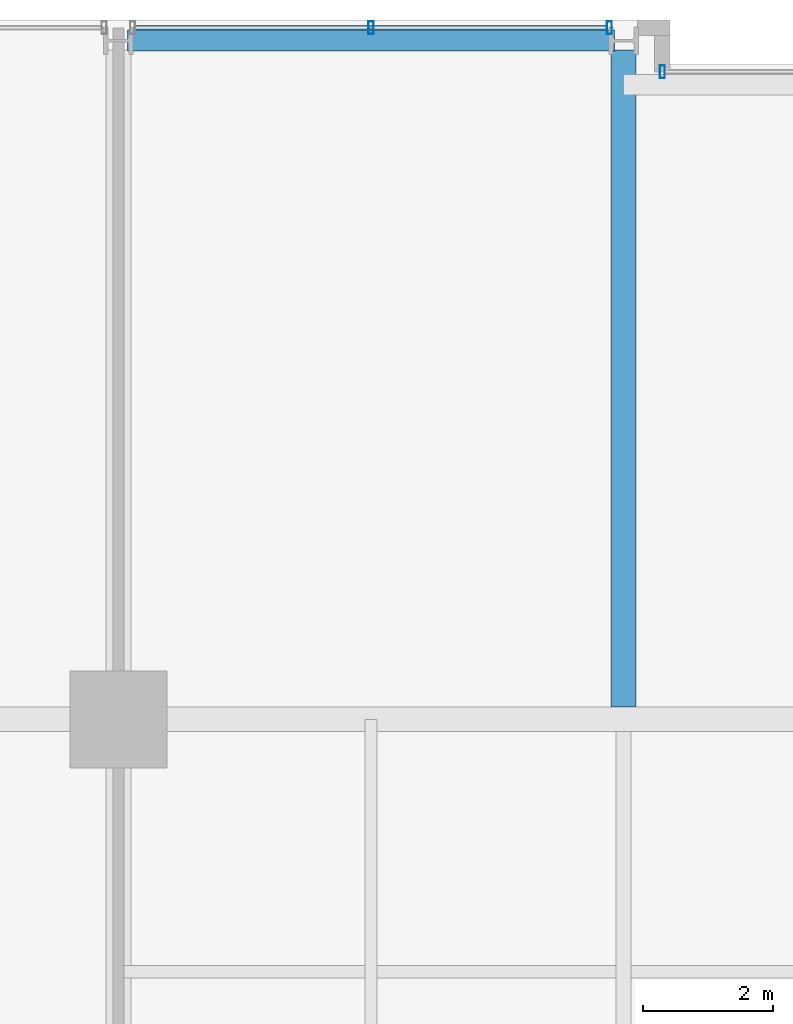
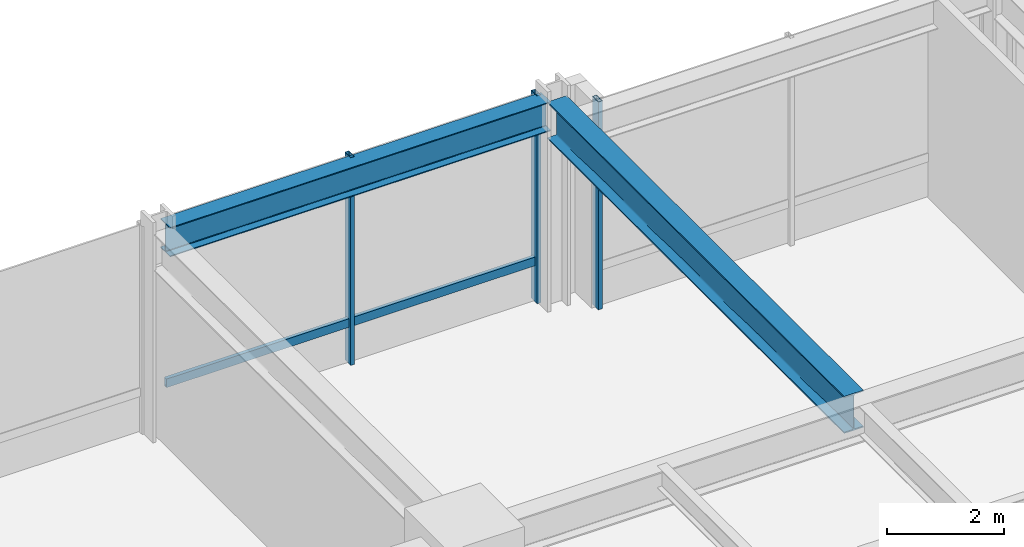
# One storey, part 21 of 33: 4 members, 2 beams, 2 elements without a shape of their own.
"""IFC4 building model written with IfcOpenShell, lengths in metres."""

from ifc_helpers import new_model, si_unit, direction, frame, origin, origin_2d, place, context, subcontext, project, spatial, hollow_rectangle, i_section, extrude, material, layer, layer_set, material_profile, profile_set, type_object, element, aggregate, save


model = new_model("IFC4")

# Units and contexts
model_context = context("Model", 3, precision=1e-05, world=origin(), true_north=direction((0.0, 1.0)))
body_context = subcontext(model_context, "Body", "Model", "MODEL_VIEW")
ifc_project = project(units=[si_unit("LENGTHUNIT", "METRE"), si_unit("AREAUNIT", "SQUARE_METRE"), si_unit("VOLUMEUNIT", "CUBIC_METRE"), si_unit("PLANEANGLEUNIT", "RADIAN"), si_unit("MASSUNIT", "GRAM", prefix="KILO")], contexts=[model_context])

# Site, building, storey
site_placement = place(None, origin())
site = spatial("IfcSite", under=ifc_project, at=site_placement, CompositionType="ELEMENT")
building_placement = place(site_placement, origin())
building = spatial("IfcBuilding", under=site, at=building_placement, Name="Drelvath Grand Hotel", CompositionType="ELEMENT")
storey_placement = place(building_placement, frame((0.0, 0.0, 87.199951171875)))
storey = spatial("IfcBuildingStorey", under=building, at=storey_placement, Name="L21", CompositionType="ELEMENT", Elevation=87.199951171875)

# Curtain wall, members
ifc_material_1 = material(Name="Champagne Bronze Anodised Aluminium Frame", Category="aluminium")
ifc_layer = layer(ifc_material_1, 0.199951171875)
ifc_layer_set = layer_set([ifc_layer], Name="Champagne Bronze Anodised Aluminium Frame")
curtain_wall_type = type_object("IfcCurtainWallType", Name="Stick Curtain Wall CW-03 Champagne Bronze Mid-Rise", PredefinedType="NOTDEFINED", material=ifc_layer_set)
curtain_wall_1_placement = place(storey_placement, origin())
curtain_wall_1 = element("IfcCurtainWall", 1, at=curtain_wall_1_placement, inside=storey, type_object=curtain_wall_type, Name="L21 CW-03 Curtain Wall CW03-L21-NW2", PredefinedType="NOTDEFINED")
ifc_material_profile_1 = material_profile(ifc_material_1, hollow_rectangle(XDim=0.074951171875, YDim=0.179931640625, WallThickness=0.0048828125, at=origin_2d()), Name="HSS180X75X5")
ifc_profile_set_1 = profile_set([ifc_material_profile_1], Name="Champagne Bronze Anodised Aluminium Frame")
member_type_1 = type_object("IfcMemberType", Name="Curtain Wall Horizontal Transom CW-03 HSS180X75X5", PredefinedType="USERDEFINED", material=ifc_profile_set_1)
member_1_placement = place(storey_placement, frame((-15.9404296875, 53.8798828125, 0.85009765625), z_axis=(1.0, 0.0, 0.0), x_axis=(0.0, 1.0, 0.0)))
member_1 = element("IfcMember", 2, at=member_1_placement, type_object=member_type_1, Name="CW03-L21-NW2 Sill Transom", ObjectType="TRANSOM", PredefinedType="USERDEFINED", context=body_context, shape_type="SweptSolid", body=[
    extrude(hollow_rectangle(XDim=0.074951171875, YDim=0.179931640625, WallThickness=0.0048828125, at=origin_2d()), origin(), (0.0, 0.0, 1.0), 7.28076171875),
])
ifc_material_profile_2 = material_profile(ifc_material_1, hollow_rectangle(XDim=0.080078125, YDim=0.199951171875, WallThickness=0.0048828125, at=origin_2d()), Name="HSS200X80X5")
ifc_profile_set_2 = profile_set([ifc_material_profile_2], Name="Champagne Bronze Anodised Aluminium Frame")
member_type_2 = type_object("IfcMemberType", Name="Curtain Wall Vertical Mullion CW-03 HSS200X80X5", PredefinedType="MULLION", material=ifc_profile_set_2)
member_2_placement = place(storey_placement, frame((-12.300048828125, 53.8798828125, 0.0), z_axis=(0.0, 0.0, 1.0), x_axis=(1.0, 0.0, 0.0)))
member_2 = element("IfcMember", 3, at=member_2_placement, type_object=member_type_2, Name="CW03-L21-NW2 Mullion 2", PredefinedType="MULLION", context=body_context, shape_type="SweptSolid", body=[
    extrude(hollow_rectangle(XDim=0.080078125, YDim=0.199951171875, WallThickness=0.0048828125, at=origin_2d()), origin(), (0.0, 0.0, 1.0), 4.340087890625),
])
member_3_placement = place(storey_placement, frame((-8.61962890625, 53.8798828125, 0.0), z_axis=(0.0, 0.0, 1.0), x_axis=(1.0, 0.0, 0.0)))
member_3 = element("IfcMember", 4, at=member_3_placement, type_object=member_type_2, Name="CW03-L21-NW2 Mullion 3", PredefinedType="MULLION", context=body_context, shape_type="SweptSolid", body=[
    extrude(hollow_rectangle(XDim=0.080078125, YDim=0.199951171875, WallThickness=0.0048828125, at=origin_2d()), origin(), (0.0, 0.0, 1.0), 4.340087890625),
])
aggregate(curtain_wall_1, [member_2, member_3, member_1])

# Curtain wall, member
curtain_wall_2_placement = place(storey_placement, origin())
curtain_wall_2 = element("IfcCurtainWall", 5, at=curtain_wall_2_placement, inside=storey, type_object=curtain_wall_type, Name="L21 CW-03 Curtain Wall CW03-L21-NM1", PredefinedType="NOTDEFINED")
member_4_placement = place(storey_placement, frame((-7.800048828125, 53.199951171875, 0.0), z_axis=(0.0, 0.0, 1.0), x_axis=(1.0, 0.0, 0.0)))
member_4 = element("IfcMember", 6, at=member_4_placement, type_object=member_type_2, Name="CW03-L21-NM1 Mullion 1", PredefinedType="MULLION", context=body_context, shape_type="SweptSolid", body=[
    extrude(hollow_rectangle(XDim=0.080078125, YDim=0.199951171875, WallThickness=0.0048828125, at=origin_2d()), origin(), (0.0, 0.0, 1.0), 4.340087890625),
])
aggregate(curtain_wall_2, [member_4])

# Beams
ifc_material_2 = material(Name="Steel ASTM A992 Gr 50", Category="steel")
ifc_material_profile_3 = material_profile(ifc_material_2, i_section(OverallWidth=0.323974609375, OverallDepth=0.611083984375, WebThickness=0.0126953125, FlangeThickness=0.01904296875, FilletRadius=0.02197265625, at=origin_2d()), Name="W24X104")
ifc_profile_set_3 = profile_set([ifc_material_profile_3], Name="Steel ASTM A992 Gr 50")
beam_type_1 = type_object("IfcBeamType", Name="Perimeter Spandrel Beam W24X104", PredefinedType="SPANDREL", material=ifc_profile_set_3)
beam_1_placement = place(storey_placement, frame((-16.06005859375, 53.679931640625, 4.03466796875), z_axis=(1.0, 0.0, 0.0), x_axis=(0.0, 1.0, 0.0)))
element("IfcBeam", 7, at=beam_1_placement, inside=storey, type_object=beam_type_1, Name="L21 Spandrel North W", PredefinedType="SPANDREL", context=body_context, shape_type="SweptSolid", body=[
    extrude(i_section(OverallWidth=0.323974609375, OverallDepth=0.611083984375, WebThickness=0.0126953125, FlangeThickness=0.01904296875, FilletRadius=0.02197265625, at=origin_2d()), origin(), (0.0, 0.0, 1.0), 7.52001953125),
])
ifc_material_profile_4 = material_profile(ifc_material_2, i_section(OverallWidth=0.380615234375, OverallDepth=0.773193359375, WebThickness=0.0166015625, FlangeThickness=0.027099609375, FilletRadius=0.02490234375, at=origin_2d()), Name="W30X173")
ifc_profile_set_4 = profile_set([ifc_material_profile_4], Name="Steel ASTM A992 Gr 50")
beam_type_2 = type_object("IfcBeamType", Name="Primary Floor Girder W30X173", PredefinedType="BEAM", material=ifc_profile_set_4)
beam_2_placement = place(storey_placement, frame((-8.39990234375, 43.390380859375, 3.953369140625), z_axis=(0.0, 1.0, 0.0), x_axis=(-1.0, 0.0, 0.0)))
element("IfcBeam", 8, at=beam_2_placement, inside=storey, type_object=beam_type_2, Name="L21 North Wing Girder 4", PredefinedType="BEAM", context=body_context, shape_type="SweptSolid", body=[
    extrude(i_section(OverallWidth=0.380615234375, OverallDepth=0.773193359375, WebThickness=0.0166015625, FlangeThickness=0.027099609375, FilletRadius=0.02490234375, at=origin_2d()), origin(), (0.0, 0.0, 1.0), 10.149658203125),
])

save(model, "model.ifc")
